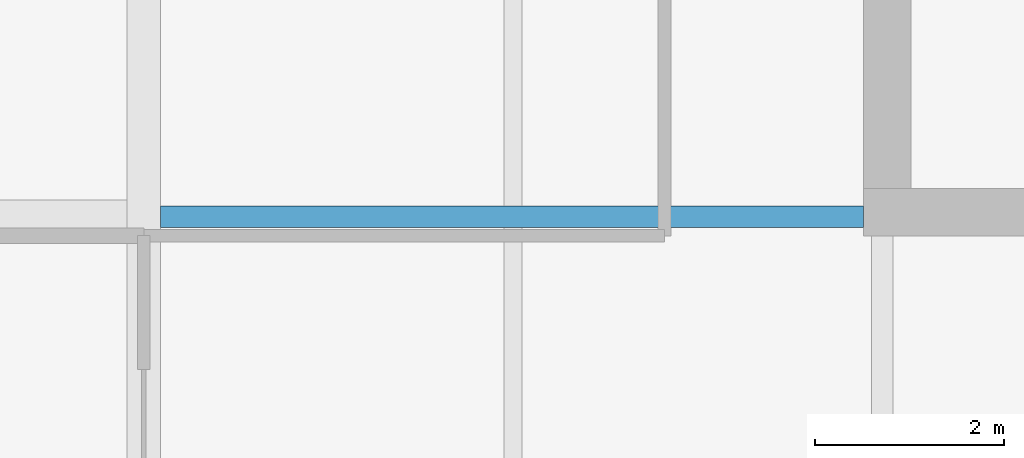
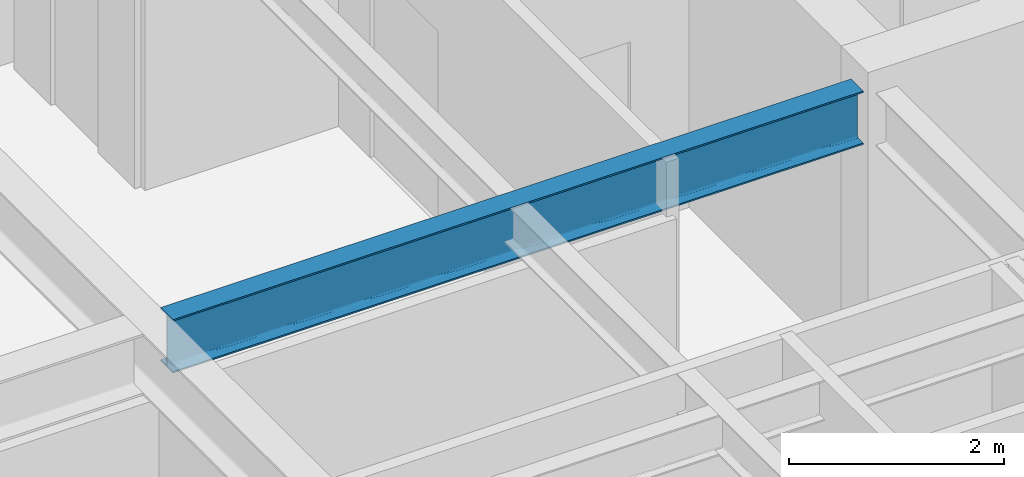
# One storey, part 8 of 33: 1 beam.
"""IFC4 building model written with IfcOpenShell, lengths in metres."""

from ifc_helpers import new_model, si_unit, direction, frame, origin, origin_2d, place, context, subcontext, project, spatial, i_section, extrude, material, material_profile, profile_set, type_object, element, save


model = new_model("IFC4")

# Units and contexts
model_context = context("Model", 3, precision=1e-05, world=origin(), true_north=direction((0.0, 1.0)))
body_context = subcontext(model_context, "Body", "Model", "MODEL_VIEW")
ifc_project = project(units=[si_unit("LENGTHUNIT", "METRE"), si_unit("AREAUNIT", "SQUARE_METRE"), si_unit("VOLUMEUNIT", "CUBIC_METRE"), si_unit("PLANEANGLEUNIT", "RADIAN"), si_unit("MASSUNIT", "GRAM", prefix="KILO")], contexts=[model_context])

# Site, building, storey
site_placement = place(None, origin())
site = spatial("IfcSite", under=ifc_project, at=site_placement, CompositionType="ELEMENT")
building_placement = place(site_placement, origin())
building = spatial("IfcBuilding", under=site, at=building_placement, Name="Drelvath Grand Hotel", CompositionType="ELEMENT")
storey_placement = place(building_placement, frame((0.0, 0.0, 171.699951171875)))
storey = spatial("IfcBuildingStorey", under=building, at=storey_placement, Name="L44", CompositionType="ELEMENT", Elevation=171.699951171875)

# Beam
ifc_material = material(Name="Steel ASTM A992 Gr 50", Category="steel")
ifc_material_profile = material_profile(ifc_material, i_section(OverallWidth=0.228271484375, OverallDepth=0.607666015625, WebThickness=0.01123046875, FlangeThickness=0.017333984375, FilletRadius=0.02001953125, at=origin_2d()), Name="W24X76")
ifc_profile_set = profile_set([ifc_material_profile], Name="Steel ASTM A992 Gr 50")
beam_type = type_object("IfcBeamType", Name="Primary Floor Girder W24X76", PredefinedType="BEAM", material=ifc_profile_set)
beam_placement = place(storey_placement, frame((-16.022705078125, 18.60009765625, 2.986328125), z_axis=(1.0, 0.0, 0.0), x_axis=(0.0, 1.0, 0.0)))
element("IfcBeam", 1, at=beam_placement, inside=storey, type_object=beam_type, Name="L44 West Core Tie D", PredefinedType="BEAM", context=body_context, shape_type="SweptSolid", body=[
    extrude(i_section(OverallWidth=0.228271484375, OverallDepth=0.607666015625, WebThickness=0.01123046875, FlangeThickness=0.017333984375, FilletRadius=0.02001953125, at=origin_2d()), origin(), (0.0, 0.0, 1.0), 7.422607421875),
])

save(model, "model.ifc")
